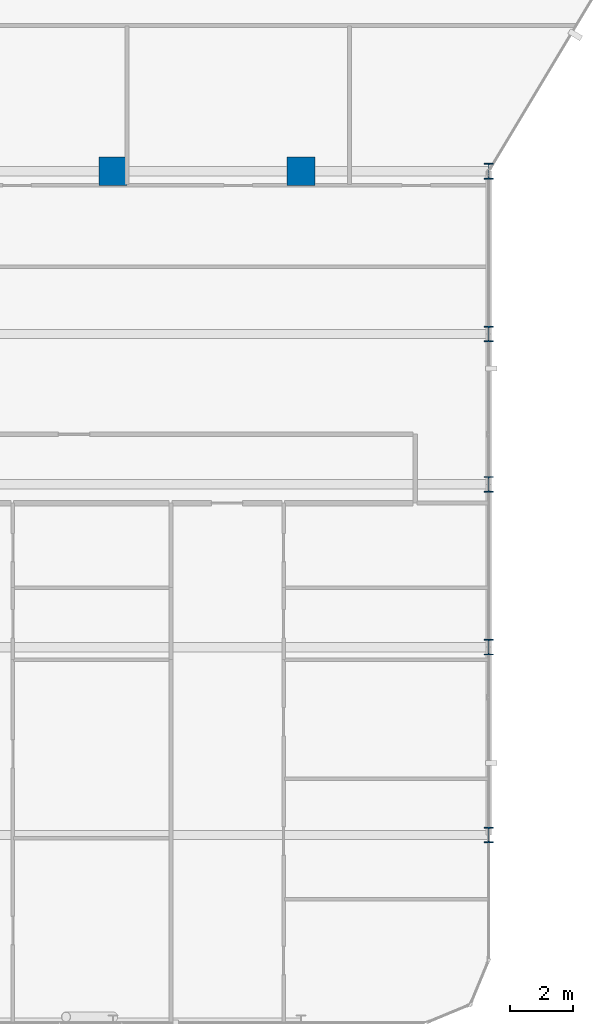
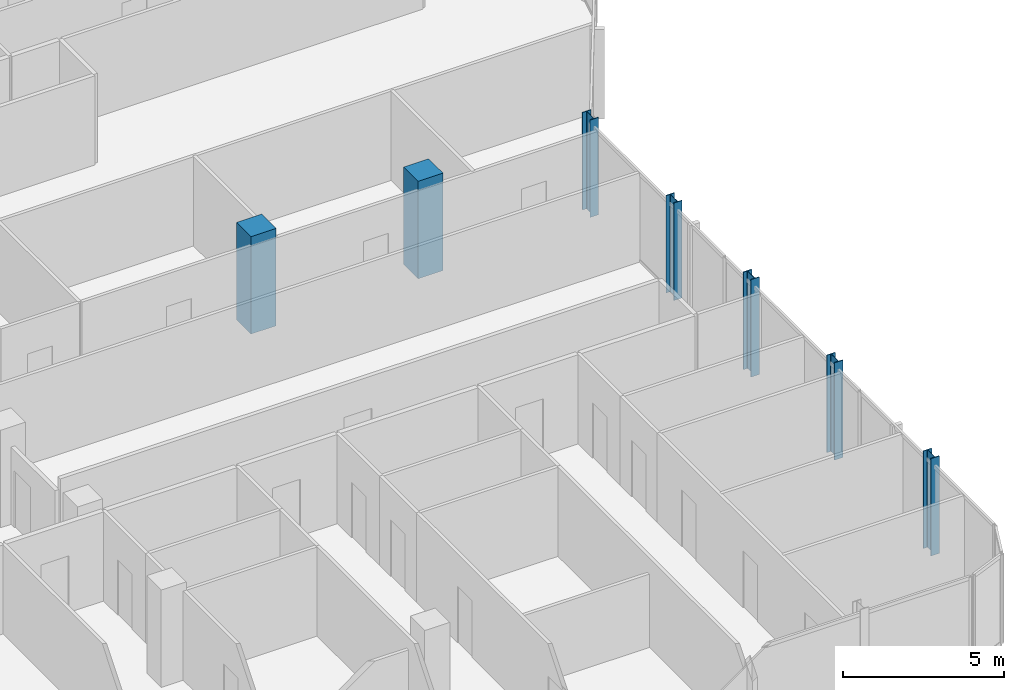
# One storey, part 2 of 31: 7 columns.
"""IFC4 building model written with IfcOpenShell, lengths in metres."""

import ifcopenshell
import ifcopenshell.guid

model = None  # the IFC model being written
_history = None  # IfcOwnerHistory: only IFC2X3 demands one
_inside = {}  # id of a spatial element -> (the spatial element, [elements in it])
_under = {}  # id of a project, library or spatial element -> (it, [spatial elements below it])
_declared = {}  # id of a project -> (the project, [libraries it declares])
_typed = {}  # id of a type object -> (the type object, [elements of that type])
_made_of = {}  # id of a material, layer set ... -> (it, [elements and type objects made of it])


def new_model(schema):
    """Start an empty IFC model of exactly this schema.

    Asked for "IFC4X3", IfcOpenShell would pick the latest addendum, in which some entities
    have other attributes; the version numbers below select the first issue.
    IFC2X3 requires an IfcOwnerHistory on every rooted entity: one is made here for all.
    """
    global model, _history
    if schema == "IFC4X3":
        model = ifcopenshell.file(schema_version=(4, 3, 0, 0))
    else:
        model = ifcopenshell.file(schema=schema)
    _inside.clear()
    _under.clear()
    _declared.clear()
    _typed.clear()
    _made_of.clear()
    _history = None
    if model.schema == "IFC2X3":
        org = make("IfcOrganization", Name="unknown")
        user = make(
            "IfcPersonAndOrganization",
            ThePerson=make("IfcPerson", FamilyName="unknown"),
            TheOrganization=org,
        )
        app = make(
            "IfcApplication",
            ApplicationDeveloper=org,
            Version="unknown",
            ApplicationFullName="unknown",
            ApplicationIdentifier="unknown",
        )
        _history = make(
            "IfcOwnerHistory",
            OwningUser=user,
            OwningApplication=app,
            ChangeAction="ADDED",
            CreationDate=0,
        )
    return model


def make(cls, **values):
    """One entity of the class cls with the attributes given. An attribute that is None is left unset."""
    return model.create_entity(
        cls, **{name: value for name, value in values.items() if value is not None}
    )


def rooted(cls, **values):
    """An entity with a GlobalId (a new one), such as an element, a storey or a relation."""
    return make(cls, GlobalId=ifcopenshell.guid.new(), OwnerHistory=_history, **values)


def si_unit(unit_type, name, prefix=None):
    """IfcSIUnit, for example si_unit("LENGTHUNIT", "METRE", prefix="MILLI")."""
    return make("IfcSIUnit", UnitType=unit_type, Prefix=prefix, Name=name)


def assignment(units):
    """IfcUnitAssignment: the units of a project."""
    return None if units is None else make("IfcUnitAssignment", Units=units)


def point(xyz):
    """IfcCartesianPoint."""
    return None if xyz is None else make("IfcCartesianPoint", Coordinates=xyz)


def direction(xyz):
    """IfcDirection."""
    return None if xyz is None else make("IfcDirection", DirectionRatios=xyz)


def frame(location, z_axis=None, x_axis=None):
    """IfcAxis2Placement3D, a coordinate frame: its origin and axes. An axis left out is left unset."""
    return make(
        "IfcAxis2Placement3D",
        Location=point(location),
        Axis=direction(z_axis),
        RefDirection=direction(x_axis),
    )


def frame_2d(location, x_axis=None):
    """IfcAxis2Placement2D, a coordinate frame in the plane: its origin and x axis."""
    return make(
        "IfcAxis2Placement2D", Location=point(location), RefDirection=direction(x_axis)
    )


def origin():
    """The frame at (0, 0, 0) with its axes left unset."""
    return frame((0.0, 0.0, 0.0))


def origin_2d():
    """The frame at (0, 0) in the plane with its x axis left unset."""
    return frame_2d((0.0, 0.0))


def place(relative_to, where):
    """IfcLocalPlacement: puts the frame where relative to a parent placement (None: the world)."""
    return make(
        "IfcLocalPlacement", PlacementRelTo=relative_to, RelativePlacement=where
    )


def context(
    kind, dimensions, precision=None, world=None, true_north=None, identifier=None
):
    """IfcGeometricRepresentationContext, for example the 3D "Model" context."""
    return make(
        "IfcGeometricRepresentationContext",
        ContextIdentifier=identifier,
        ContextType=kind,
        CoordinateSpaceDimension=dimensions,
        Precision=precision,
        WorldCoordinateSystem=world,
        TrueNorth=true_north,
    )


def subcontext(parent, identifier, kind, view, scale=None):
    """IfcGeometricRepresentationSubContext, for example "Body" below "Model"."""
    return make(
        "IfcGeometricRepresentationSubContext",
        ContextIdentifier=identifier,
        ContextType=kind,
        ParentContext=parent,
        TargetScale=scale,
        TargetView=view,
    )


def project(units=None, contexts=None):
    """IfcProject with its units and contexts."""
    return rooted(
        "IfcProject",
        Name="project",
        RepresentationContexts=contexts,
        UnitsInContext=assignment(units),
    )


def spatial(cls, under=None, at=None, **own):
    """A site, building, storey or space (cls), placed at a placement, below another one or the project."""
    s = rooted(cls, ObjectPlacement=at, **own)
    if under is not None:
        _under.setdefault(under.id(), (under, []))[1].append(s)
    return s


def profile(cls, at=None, kind="AREA", **sizes):
    """A parametric profile (cls). Its sizes go by their IFC names, for example OverallWidth=200.0."""
    return make(cls, ProfileType=kind, Position=at, **sizes)


def rectangle(**sizes):
    """IfcRectangleProfileDef."""
    return profile("IfcRectangleProfileDef", **sizes)


def i_section(**sizes):
    """IfcIShapeProfileDef."""
    return profile("IfcIShapeProfileDef", **sizes)


def extrude(swept, where, along, depth):
    """IfcExtrudedAreaSolid: the profile swept, set in the frame where, extruded along a direction by depth."""
    return make(
        "IfcExtrudedAreaSolid",
        SweptArea=swept,
        Position=where,
        ExtrudedDirection=direction(along),
        Depth=depth,
    )


def shape(context_of_items, identifier, shape_type, items):
    """IfcShapeRepresentation: the items that make up one representation, for example the "Body"."""
    return make(
        "IfcShapeRepresentation",
        ContextOfItems=context_of_items,
        RepresentationIdentifier=identifier,
        RepresentationType=shape_type,
        Items=items,
    )


def material(Name=None, Category=None):
    """IfcMaterial."""
    return make("IfcMaterial", Name=Name, Category=Category)


def material_profile(
    of_material, cross_section, Name=None, Category=None, Priority=None
):
    """IfcMaterialProfile: a cross section and its material."""
    return make(
        "IfcMaterialProfile",
        Name=Name,
        Material=of_material,
        Profile=cross_section,
        Priority=Priority,
        Category=Category,
    )


def profile_set(profiles, Name=None, composite=None):
    """IfcMaterialProfileSet."""
    return make(
        "IfcMaterialProfileSet",
        Name=Name,
        MaterialProfiles=profiles,
        CompositeProfile=composite,
    )


def made_of(thing, what):
    """Note that an element or type object is made of a material, layer set ...; save() writes the relation."""
    if what is not None:
        _made_of.setdefault(what.id(), (what, []))[1].append(thing)
    return thing


def type_object(cls, material=None, **own):
    """A type object (cls), such as IfcWallType, which elements share."""
    return made_of(rooted(cls, **own), material)


def element(
    cls,
    number,
    at=None,
    inside=None,
    cuts=None,
    type_object=None,
    material=None,
    context=None,
    identifier="Body",
    shape_type=None,
    held_by="IfcProductDefinitionShape",
    body=None,
    shapes=None,
    **own,
):
    """One element of the class cls, such as IfcWall. Its Tag is "e" and its number.

    at: its placement. inside: the storey or other place that contains it. cuts: it is an
    opening in that element (IfcRelVoidsElement). A single representation is given by context,
    identifier, shape_type and body (its items); several are given by shapes. held_by: the class
    of the entity that holds the representations. save() writes the other relations.
    """
    e = rooted(cls, Tag="e%d" % number, ObjectPlacement=at, **own)
    if body is not None:
        shapes = [shape(context, identifier, shape_type, body)]
    if shapes is not None:
        e.Representation = make(held_by, Representations=shapes)
    if inside is not None:
        _inside.setdefault(inside.id(), (inside, []))[1].append(e)
    if cuts is not None:
        rooted(
            "IfcRelVoidsElement", RelatingBuildingElement=cuts, RelatedOpeningElement=e
        )
    if type_object is not None:
        _typed.setdefault(type_object.id(), (type_object, []))[1].append(e)
    return made_of(e, material)


def aggregate(whole, parts):
    """IfcRelAggregates: a whole, such as a stair, and the parts it consists of."""
    return rooted("IfcRelAggregates", RelatingObject=whole, RelatedObjects=parts)


def save(model, path):
    """Write the relations noted so far, then the file.

    IfcRelAggregates (storeys below a building ...), IfcRelContainedInSpatialStructure (elements
    in a storey), IfcRelDefinesByType, IfcRelAssociatesMaterial and IfcRelDeclares: one each for
    every whole, place, type object, material and project.
    """
    for whole, parts in _under.values():
        aggregate(whole, parts)
    for where, things in _inside.values():
        rooted(
            "IfcRelContainedInSpatialStructure",
            RelatedElements=things,
            RelatingStructure=where,
        )
    for kind, things in _typed.values():
        rooted("IfcRelDefinesByType", RelatedObjects=things, RelatingType=kind)
    for what, things in _made_of.values():
        rooted("IfcRelAssociatesMaterial", RelatedObjects=things, RelatingMaterial=what)
    for by, libraries in _declared.values():
        rooted("IfcRelDeclares", RelatingContext=by, RelatedDefinitions=libraries)
    model.write(path)


model = new_model("IFC4")

# Units and contexts
model_context = context("Model", 3, precision=1e-05, world=origin(), true_north=direction((0.0, 1.0)))
body_context = subcontext(model_context, "Body", "Model", "MODEL_VIEW")
ifc_project = project(units=[si_unit("LENGTHUNIT", "METRE"), si_unit("AREAUNIT", "SQUARE_METRE"), si_unit("VOLUMEUNIT", "CUBIC_METRE"), si_unit("PLANEANGLEUNIT", "RADIAN"), si_unit("MASSUNIT", "GRAM", prefix="KILO")], contexts=[model_context])

# Site, building, storey
site_placement = place(None, origin())
site = spatial("IfcSite", under=ifc_project, at=site_placement, CompositionType="ELEMENT")
building_placement = place(site_placement, origin())
building = spatial("IfcBuilding", under=site, at=building_placement, Name="Keshet Zoharim Tower", CompositionType="ELEMENT")
storey_placement = place(building_placement, frame((0.0, 0.0, 148.300048828125)))
storey = spatial("IfcBuildingStorey", under=building, at=storey_placement, Name="L36", CompositionType="ELEMENT", Elevation=148.300048828125)

# Columns
ifc_material_1 = material(Name="Steel S355", Category="steel")
ifc_material_profile_1 = material_profile(ifc_material_1, i_section(OverallWidth=0.300048828125, OverallDepth=0.5, WebThickness=0.014404296875, FlangeThickness=0.028076171875, FilletRadius=0.027099609375, at=origin_2d()), Name="HEB500")
ifc_profile_set_1 = profile_set([ifc_material_profile_1], Name="Steel S355")
column_type_1 = type_object("IfcColumnType", Name="COL-HEB500", PredefinedType="COLUMN", material=ifc_profile_set_1)
for number, where, z_axis, x_axis, name in (
    (1, (57.0, 6.699951171875, 0.0), (0.0, 0.0, 1.0), (1.0, 0.0, 0.0), "L36 Column 10B"),
    (2, (57.0, 12.699951171875, 0.0), (0.0, 0.0, 1.0), (1.0, 0.0, 0.0), "L36 Column 10C"),
    (3, (57.0, 17.89990234375, 0.0), (0.0, 0.0, 1.0), (1.0, 0.0, 0.0), "L36 Column 10D"),
    (4, (57.0, 22.699951171875, 0.0), (0.0, 0.0, 1.0), (1.0, 0.0, 0.0), "L36 Column 10E"),
    (5, (57.0, 27.89990234375, 0.0), (0.0, 0.0, 1.0), (1.0, 0.0, 0.0), "L36 Column 10F"),
):
    element("IfcColumn", number, at=place(storey_placement, frame(where, z_axis=z_axis, x_axis=x_axis)), inside=storey, type_object=column_type_1, Name=name, PredefinedType="COLUMN", context=body_context, shape_type="SweptSolid", body=[
        extrude(i_section(OverallWidth=0.300048828125, OverallDepth=0.5, WebThickness=0.014404296875, FlangeThickness=0.028076171875, FilletRadius=0.027099609375, at=origin_2d()), origin(), (0.0, 0.0, 1.0), 3.699951171875),
    ])
ifc_material_2 = material(Name="Concrete C60/75", Category="concrete")
ifc_material_profile_2 = material_profile(ifc_material_2, rectangle(XDim=0.89990234375, YDim=0.89990234375, at=origin_2d()), Name="RC900x900")
ifc_profile_set_2 = profile_set([ifc_material_profile_2], Name="Concrete C60/75")
column_type_2 = type_object("IfcColumnType", Name="COL-RC900", PredefinedType="COLUMN", material=ifc_profile_set_2)
for number, where, z_axis, x_axis, name in (
    (6, (45.0, 27.89990234375, 0.0), (0.0, 0.0, 1.0), (1.0, 0.0, 0.0), "L36 Column 8F"),
    (7, (51.0, 27.89990234375, 0.0), (0.0, 0.0, 1.0), (1.0, 0.0, 0.0), "L36 Column 9F"),
):
    element("IfcColumn", number, at=place(storey_placement, frame(where, z_axis=z_axis, x_axis=x_axis)), inside=storey, type_object=column_type_2, Name=name, PredefinedType="COLUMN", context=body_context, shape_type="SweptSolid", body=[
        extrude(rectangle(XDim=0.89990234375, YDim=0.89990234375, at=origin_2d()), origin(), (0.0, 0.0, 1.0), 3.699951171875),
    ])

save(model, "model.ifc")
